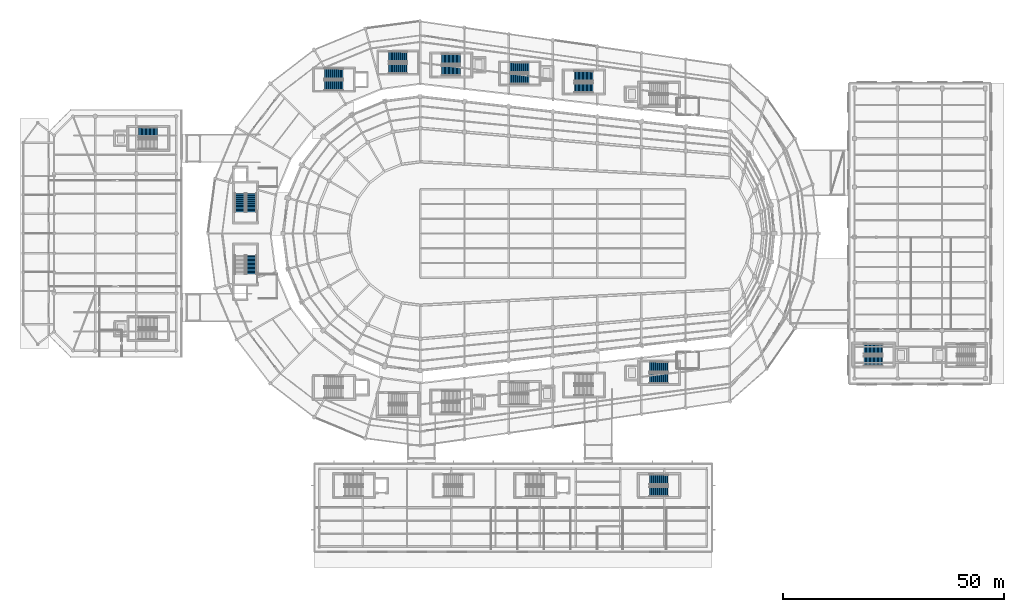
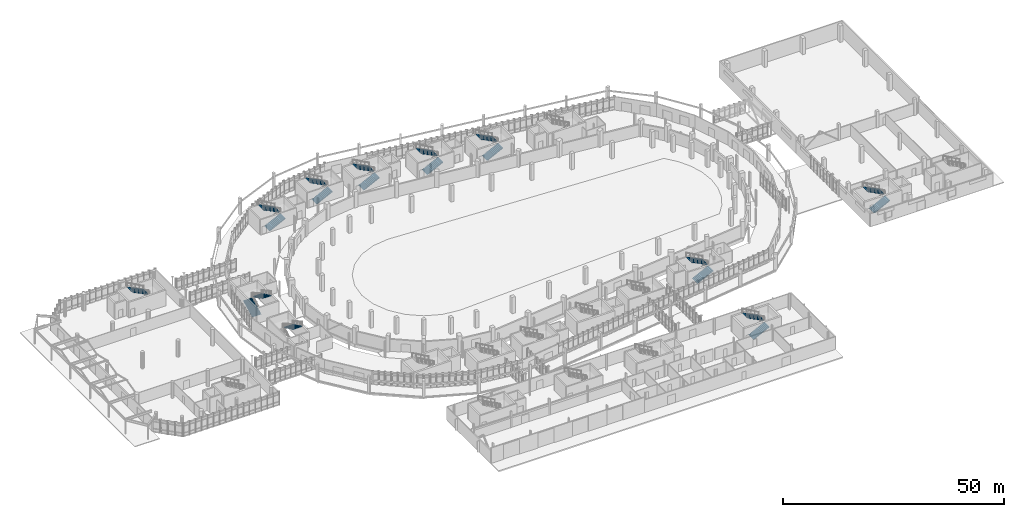
# One storey, part 112 of 122: 20 stair flights, 11 elements without a shape of their own.
"""IFC4 building model written with IfcOpenShell, lengths in metres."""

from ifc_helpers import new_model, si_unit, direction, frame, origin, place, context, subcontext, project, spatial, polyline, outline, extrude, material, type_object, element, aggregate, save


model = new_model("IFC4")

# Units and contexts
model_context = context("Model", 3, precision=1e-05, world=origin(), true_north=direction((0.0, 1.0)))
body_context = subcontext(model_context, "Body", "Model", "MODEL_VIEW")
ifc_project = project(units=[si_unit("LENGTHUNIT", "METRE"), si_unit("AREAUNIT", "SQUARE_METRE"), si_unit("VOLUMEUNIT", "CUBIC_METRE"), si_unit("PLANEANGLEUNIT", "RADIAN"), si_unit("MASSUNIT", "GRAM", prefix="KILO")], contexts=[model_context])

# Site, building, storey
site_placement = place(None, origin())
site = spatial("IfcSite", under=ifc_project, at=site_placement, CompositionType="ELEMENT")
building_placement = place(site_placement, origin())
building = spatial("IfcBuilding", under=site, at=building_placement, Name="Sohan Crest Arena", CompositionType="ELEMENT")
storey_placement = place(building_placement, origin())
storey = spatial("IfcBuildingStorey", under=building, at=storey_placement, Name="L00", CompositionType="ELEMENT", Elevation=0.0)

# Stair, stair flights
ifc_material = material(Name="Concrete C40/50", Category="concrete")
stair_type_1 = type_object("IfcStairType", Name="ST-450W", PredefinedType="TWO_STRAIGHT_RUN_STAIR", material=ifc_material)
stair_1_placement = place(storey_placement, origin())
stair_1 = element("IfcStair", 1, at=stair_1_placement, inside=storey, type_object=stair_type_1, Name="Protected exit stair ST11-L00", PredefinedType="TWO_STRAIGHT_RUN_STAIR")
stair_flight_type_1 = type_object("IfcStairFlightType", Name="FL-220-15", PredefinedType="STRAIGHT", material=ifc_material)
stair_flight_1_placement = place(storey_placement, frame((149.85009765625, 19.64990234375, 0.0), z_axis=(0.0, 0.0, 1.0), x_axis=(1.0, 0.0, 0.0)))
stair_flight_1 = element("IfcStairFlight", 2, at=stair_flight_1_placement, type_object=stair_flight_type_1, Name="ST11-L00 flight 1", NumberOfRisers=15, NumberOfTreads=14, PredefinedType="STRAIGHT", RiserHeight=0.15, TreadLength=0.3, context=body_context, shape_type="SweptSolid", body=[
    extrude(outline(polyline([(0.0, 0.0), (0.0, 0.14990234375), (0.300048828125, 0.14990234375), (0.300048828125, 0.300048828125), (0.60009765625, 0.300048828125), (0.60009765625, 0.449951171875), (0.89990234375, 0.449951171875), (0.89990234375, 0.60009765625), (1.199951171875, 0.60009765625), (1.199951171875, 0.75), (1.5, 0.75), (1.5, 0.89990234375), (1.800048828125, 0.89990234375), (1.800048828125, 1.050048828125), (2.10009765625, 1.050048828125), (2.10009765625, 1.199951171875), (2.39990234375, 1.199951171875), (2.39990234375, 1.35009765625), (2.699951171875, 1.35009765625), (2.699951171875, 1.5), (3.0, 1.5), (3.0, 1.64990234375), (3.300048828125, 1.64990234375), (3.300048828125, 1.800048828125), (3.60009765625, 1.800048828125), (3.60009765625, 1.949951171875), (3.89990234375, 1.949951171875), (3.89990234375, 2.10009765625), (4.199951171875, 2.10009765625), (4.199951171875, 2.25), (4.199951171875, 1.932373046875), (0.335205078125, 0.0), (0.0, 0.0)])), frame((0.0, 1.10009765625, 0.0), z_axis=(0.0, -1.0, 0.0), x_axis=(1.0, 0.0, 0.0)), (0.0, 0.0, 1.0), 2.199951171875),
])
stair_flight_2_placement = place(storey_placement, frame((154.050048828125, 22.35009765625, 2.25), z_axis=(0.0, 0.0, 1.0), x_axis=(-1.0, 0.0, 0.0)))
stair_flight_2 = element("IfcStairFlight", 3, at=stair_flight_2_placement, type_object=stair_flight_type_1, Name="ST11-L00 flight 2", NumberOfRisers=15, NumberOfTreads=14, PredefinedType="STRAIGHT", RiserHeight=0.15, TreadLength=0.3, context=body_context, shape_type="SweptSolid", body=[
    extrude(outline(polyline([(0.0, 0.0), (0.0, 0.14990234375), (0.300048828125, 0.14990234375), (0.300048828125, 0.300048828125), (0.60009765625, 0.300048828125), (0.60009765625, 0.449951171875), (0.89990234375, 0.449951171875), (0.89990234375, 0.60009765625), (1.199951171875, 0.60009765625), (1.199951171875, 0.75), (1.5, 0.75), (1.5, 0.89990234375), (1.800048828125, 0.89990234375), (1.800048828125, 1.050048828125), (2.10009765625, 1.050048828125), (2.10009765625, 1.199951171875), (2.39990234375, 1.199951171875), (2.39990234375, 1.35009765625), (2.699951171875, 1.35009765625), (2.699951171875, 1.5), (3.0, 1.5), (3.0, 1.64990234375), (3.300048828125, 1.64990234375), (3.300048828125, 1.800048828125), (3.60009765625, 1.800048828125), (3.60009765625, 1.949951171875), (3.89990234375, 1.949951171875), (3.89990234375, 2.10009765625), (4.199951171875, 2.10009765625), (4.199951171875, 2.25), (4.199951171875, 1.932373046875), (0.335205078125, 0.0), (0.0, 0.0)])), frame((0.0, 1.10009765625, 0.0), z_axis=(0.0, -1.0, 0.0), x_axis=(1.0, 0.0, 0.0)), (0.0, 0.0, 1.0), 2.199951171875),
])
aggregate(stair_1, [stair_flight_1, stair_flight_2])

# Stair, stair flight
stair_2_placement = place(storey_placement, origin())
stair_2 = element("IfcStair", 4, at=stair_2_placement, inside=storey, type_object=stair_type_1, Name="Protected exit stair ST14-L00", PredefinedType="TWO_STRAIGHT_RUN_STAIR")
stair_flight_3_placement = place(storey_placement, frame((38.550048828125, 100.85009765625, 2.25), z_axis=(0.0, 0.0, 1.0), x_axis=(-1.0, 0.0, 0.0)))
stair_flight_3 = element("IfcStairFlight", 5, at=stair_flight_3_placement, type_object=stair_flight_type_1, Name="ST14-L00 flight 2", NumberOfRisers=15, NumberOfTreads=14, PredefinedType="STRAIGHT", RiserHeight=0.15, TreadLength=0.3, context=body_context, shape_type="SweptSolid", body=[
    extrude(outline(polyline([(0.0, 0.0), (0.0, 0.14990234375), (0.300048828125, 0.14990234375), (0.300048828125, 0.300048828125), (0.60009765625, 0.300048828125), (0.60009765625, 0.449951171875), (0.89990234375, 0.449951171875), (0.89990234375, 0.60009765625), (1.199951171875, 0.60009765625), (1.199951171875, 0.75), (1.5, 0.75), (1.5, 0.89990234375), (1.800048828125, 0.89990234375), (1.800048828125, 1.050048828125), (2.10009765625, 1.050048828125), (2.10009765625, 1.199951171875), (2.39990234375, 1.199951171875), (2.39990234375, 1.35009765625), (2.699951171875, 1.35009765625), (2.699951171875, 1.5), (3.0, 1.5), (3.0, 1.64990234375), (3.300048828125, 1.64990234375), (3.300048828125, 1.800048828125), (3.60009765625, 1.800048828125), (3.60009765625, 1.949951171875), (3.89990234375, 1.949951171875), (3.89990234375, 2.10009765625), (4.199951171875, 2.10009765625), (4.199951171875, 2.25), (4.199951171875, 1.932373046875), (0.335205078125, 0.0), (0.0, 0.0)])), frame((0.0, 1.10009765625, 0.0), z_axis=(0.0, -1.0, 0.0), x_axis=(1.0, 0.0, 0.0)), (0.0, 0.0, 1.0), 2.199951171875),
])
aggregate(stair_2, [stair_flight_3])

# Stair, stair flights
stair_3_placement = place(storey_placement, origin())
stair_3 = element("IfcStair", 6, at=stair_3_placement, inside=storey, type_object=stair_type_1, Name="Protected exit stair ST15-L00", PredefinedType="TWO_STRAIGHT_RUN_STAIR")
stair_flight_4_placement = place(storey_placement, frame((198.35009765625, 49.14990234375, 0.0), z_axis=(0.0, 0.0, 1.0), x_axis=(1.0, 0.0, 0.0)))
stair_flight_4 = element("IfcStairFlight", 7, at=stair_flight_4_placement, type_object=stair_flight_type_1, Name="ST15-L00 flight 1", NumberOfRisers=15, NumberOfTreads=14, PredefinedType="STRAIGHT", RiserHeight=0.15, TreadLength=0.3, context=body_context, shape_type="SweptSolid", body=[
    extrude(outline(polyline([(0.0, 0.0), (0.0, 0.14990234375), (0.300048828125, 0.14990234375), (0.300048828125, 0.300048828125), (0.60009765625, 0.300048828125), (0.60009765625, 0.449951171875), (0.89990234375, 0.449951171875), (0.89990234375, 0.60009765625), (1.199951171875, 0.60009765625), (1.199951171875, 0.75), (1.5, 0.75), (1.5, 0.89990234375), (1.800048828125, 0.89990234375), (1.800048828125, 1.050048828125), (2.10009765625, 1.050048828125), (2.10009765625, 1.199951171875), (2.39990234375, 1.199951171875), (2.39990234375, 1.35009765625), (2.699951171875, 1.35009765625), (2.699951171875, 1.5), (3.0, 1.5), (3.0, 1.64990234375), (3.300048828125, 1.64990234375), (3.300048828125, 1.800048828125), (3.60009765625, 1.800048828125), (3.60009765625, 1.949951171875), (3.89990234375, 1.949951171875), (3.89990234375, 2.10009765625), (4.199951171875, 2.10009765625), (4.199951171875, 2.25), (4.199951171875, 1.932373046875), (0.335205078125, 0.0), (0.0, 0.0)])), frame((0.0, 1.10009765625, 0.0), z_axis=(0.0, -1.0, 0.0), x_axis=(1.0, 0.0, 0.0)), (0.0, 0.0, 1.0), 2.199951171875),
])
stair_flight_5_placement = place(storey_placement, frame((202.550048828125, 51.85009765625, 2.25), z_axis=(0.0, 0.0, 1.0), x_axis=(-1.0, 0.0, 0.0)))
stair_flight_5 = element("IfcStairFlight", 8, at=stair_flight_5_placement, type_object=stair_flight_type_1, Name="ST15-L00 flight 2", NumberOfRisers=15, NumberOfTreads=14, PredefinedType="STRAIGHT", RiserHeight=0.15, TreadLength=0.3, context=body_context, shape_type="SweptSolid", body=[
    extrude(outline(polyline([(0.0, 0.0), (0.0, 0.14990234375), (0.300048828125, 0.14990234375), (0.300048828125, 0.300048828125), (0.60009765625, 0.300048828125), (0.60009765625, 0.449951171875), (0.89990234375, 0.449951171875), (0.89990234375, 0.60009765625), (1.199951171875, 0.60009765625), (1.199951171875, 0.75), (1.5, 0.75), (1.5, 0.89990234375), (1.800048828125, 0.89990234375), (1.800048828125, 1.050048828125), (2.10009765625, 1.050048828125), (2.10009765625, 1.199951171875), (2.39990234375, 1.199951171875), (2.39990234375, 1.35009765625), (2.699951171875, 1.35009765625), (2.699951171875, 1.5), (3.0, 1.5), (3.0, 1.64990234375), (3.300048828125, 1.64990234375), (3.300048828125, 1.800048828125), (3.60009765625, 1.800048828125), (3.60009765625, 1.949951171875), (3.89990234375, 1.949951171875), (3.89990234375, 2.10009765625), (4.199951171875, 2.10009765625), (4.199951171875, 2.25), (4.199951171875, 1.932373046875), (0.335205078125, 0.0), (0.0, 0.0)])), frame((0.0, 1.10009765625, 0.0), z_axis=(0.0, -1.0, 0.0), x_axis=(1.0, 0.0, 0.0)), (0.0, 0.0, 1.0), 2.199951171875),
])
aggregate(stair_3, [stair_flight_4, stair_flight_5])

stair_4_placement = place(storey_placement, origin())
stair_4 = element("IfcStair", 9, at=stair_4_placement, inside=storey, type_object=stair_type_1, Name="Protected exit stair ST20-L00", PredefinedType="TWO_STRAIGHT_RUN_STAIR")
stair_flight_6_placement = place(storey_placement, frame((90.85009765625, 115.2900390625, 0.0), z_axis=(0.0, 0.0, 1.0), x_axis=(1.0, 0.0, 0.0)))
stair_flight_6 = element("IfcStairFlight", 10, at=stair_flight_6_placement, type_object=stair_flight_type_1, Name="ST20-L00 flight 1", NumberOfRisers=15, NumberOfTreads=14, PredefinedType="STRAIGHT", RiserHeight=0.15, TreadLength=0.3, context=body_context, shape_type="SweptSolid", body=[
    extrude(outline(polyline([(0.0, 0.0), (0.0, 0.14990234375), (0.300048828125, 0.14990234375), (0.300048828125, 0.300048828125), (0.60009765625, 0.300048828125), (0.60009765625, 0.449951171875), (0.89990234375, 0.449951171875), (0.89990234375, 0.60009765625), (1.199951171875, 0.60009765625), (1.199951171875, 0.75), (1.5, 0.75), (1.5, 0.89990234375), (1.800048828125, 0.89990234375), (1.800048828125, 1.050048828125), (2.10009765625, 1.050048828125), (2.10009765625, 1.199951171875), (2.39990234375, 1.199951171875), (2.39990234375, 1.35009765625), (2.699951171875, 1.35009765625), (2.699951171875, 1.5), (3.0, 1.5), (3.0, 1.64990234375), (3.300048828125, 1.64990234375), (3.300048828125, 1.800048828125), (3.60009765625, 1.800048828125), (3.60009765625, 1.949951171875), (3.89990234375, 1.949951171875), (3.89990234375, 2.10009765625), (4.199951171875, 2.10009765625), (4.199951171875, 2.25), (4.199951171875, 1.932373046875), (0.335205078125, 0.0), (0.0, 0.0)])), frame((0.0, 1.10009765625, 0.0), z_axis=(0.0, -1.0, 0.0), x_axis=(1.0, 0.0, 0.0)), (0.0, 0.0, 1.0), 2.199951171875),
])
stair_flight_7_placement = place(storey_placement, frame((95.050048828125, 117.989990234375, 2.25), z_axis=(0.0, 0.0, 1.0), x_axis=(-1.0, 0.0, 0.0)))
stair_flight_7 = element("IfcStairFlight", 11, at=stair_flight_7_placement, type_object=stair_flight_type_1, Name="ST20-L00 flight 2", NumberOfRisers=15, NumberOfTreads=14, PredefinedType="STRAIGHT", RiserHeight=0.15, TreadLength=0.3, context=body_context, shape_type="SweptSolid", body=[
    extrude(outline(polyline([(0.0, 0.0), (0.0, 0.14990234375), (0.300048828125, 0.14990234375), (0.300048828125, 0.300048828125), (0.60009765625, 0.300048828125), (0.60009765625, 0.449951171875), (0.89990234375, 0.449951171875), (0.89990234375, 0.60009765625), (1.199951171875, 0.60009765625), (1.199951171875, 0.75), (1.5, 0.75), (1.5, 0.89990234375), (1.800048828125, 0.89990234375), (1.800048828125, 1.050048828125), (2.10009765625, 1.050048828125), (2.10009765625, 1.199951171875), (2.39990234375, 1.199951171875), (2.39990234375, 1.35009765625), (2.699951171875, 1.35009765625), (2.699951171875, 1.5), (3.0, 1.5), (3.0, 1.64990234375), (3.300048828125, 1.64990234375), (3.300048828125, 1.800048828125), (3.60009765625, 1.800048828125), (3.60009765625, 1.949951171875), (3.89990234375, 1.949951171875), (3.89990234375, 2.10009765625), (4.199951171875, 2.10009765625), (4.199951171875, 2.25), (4.199951171875, 1.932373046875), (0.335205078125, 0.0), (0.0, 0.0)])), frame((0.0, 1.10009765625, 0.0), z_axis=(0.0, -1.0, 0.0), x_axis=(1.0, 0.0, 0.0)), (0.0, 0.0, 1.0), 2.199951171875),
])
aggregate(stair_4, [stair_flight_6, stair_flight_7])

stair_5_placement = place(storey_placement, origin())
stair_5 = element("IfcStair", 12, at=stair_5_placement, inside=storey, type_object=stair_type_1, Name="Protected exit stair ST22-L00", PredefinedType="TWO_STRAIGHT_RUN_STAIR")
stair_flight_8_placement = place(storey_placement, frame((132.85009765625, 110.89990234375, 0.0), z_axis=(0.0, 0.0, 1.0), x_axis=(1.0, 0.0, 0.0)))
stair_flight_8 = element("IfcStairFlight", 13, at=stair_flight_8_placement, type_object=stair_flight_type_1, Name="ST22-L00 flight 1", NumberOfRisers=15, NumberOfTreads=14, PredefinedType="STRAIGHT", RiserHeight=0.15, TreadLength=0.3, context=body_context, shape_type="SweptSolid", body=[
    extrude(outline(polyline([(0.0, 0.0), (0.0, 0.14990234375), (0.300048828125, 0.14990234375), (0.300048828125, 0.300048828125), (0.60009765625, 0.300048828125), (0.60009765625, 0.449951171875), (0.89990234375, 0.449951171875), (0.89990234375, 0.60009765625), (1.199951171875, 0.60009765625), (1.199951171875, 0.75), (1.5, 0.75), (1.5, 0.89990234375), (1.800048828125, 0.89990234375), (1.800048828125, 1.050048828125), (2.10009765625, 1.050048828125), (2.10009765625, 1.199951171875), (2.39990234375, 1.199951171875), (2.39990234375, 1.35009765625), (2.699951171875, 1.35009765625), (2.699951171875, 1.5), (3.0, 1.5), (3.0, 1.64990234375), (3.300048828125, 1.64990234375), (3.300048828125, 1.800048828125), (3.60009765625, 1.800048828125), (3.60009765625, 1.949951171875), (3.89990234375, 1.949951171875), (3.89990234375, 2.10009765625), (4.199951171875, 2.10009765625), (4.199951171875, 2.25), (4.199951171875, 1.932373046875), (0.335205078125, 0.0), (0.0, 0.0)])), frame((0.0, 1.10009765625, 0.0), z_axis=(0.0, -1.0, 0.0), x_axis=(1.0, 0.0, 0.0)), (0.0, 0.0, 1.0), 2.199951171875),
])
stair_flight_9_placement = place(storey_placement, frame((137.050048828125, 113.60009765625, 2.25), z_axis=(0.0, 0.0, 1.0), x_axis=(-1.0, 0.0, 0.0)))
stair_flight_9 = element("IfcStairFlight", 14, at=stair_flight_9_placement, type_object=stair_flight_type_1, Name="ST22-L00 flight 2", NumberOfRisers=15, NumberOfTreads=14, PredefinedType="STRAIGHT", RiserHeight=0.15, TreadLength=0.3, context=body_context, shape_type="SweptSolid", body=[
    extrude(outline(polyline([(0.0, 0.0), (0.0, 0.14990234375), (0.300048828125, 0.14990234375), (0.300048828125, 0.300048828125), (0.60009765625, 0.300048828125), (0.60009765625, 0.449951171875), (0.89990234375, 0.449951171875), (0.89990234375, 0.60009765625), (1.199951171875, 0.60009765625), (1.199951171875, 0.75), (1.5, 0.75), (1.5, 0.89990234375), (1.800048828125, 0.89990234375), (1.800048828125, 1.050048828125), (2.10009765625, 1.050048828125), (2.10009765625, 1.199951171875), (2.39990234375, 1.199951171875), (2.39990234375, 1.35009765625), (2.699951171875, 1.35009765625), (2.699951171875, 1.5), (3.0, 1.5), (3.0, 1.64990234375), (3.300048828125, 1.64990234375), (3.300048828125, 1.800048828125), (3.60009765625, 1.800048828125), (3.60009765625, 1.949951171875), (3.89990234375, 1.949951171875), (3.89990234375, 2.10009765625), (4.199951171875, 2.10009765625), (4.199951171875, 2.25), (4.199951171875, 1.932373046875), (0.335205078125, 0.0), (0.0, 0.0)])), frame((0.0, 1.10009765625, 0.0), z_axis=(0.0, -1.0, 0.0), x_axis=(1.0, 0.0, 0.0)), (0.0, 0.0, 1.0), 2.199951171875),
])
aggregate(stair_5, [stair_flight_8, stair_flight_9])

# Stair, stair flight
stair_type_2 = type_object("IfcStairType", Name="ST-450", PredefinedType="TWO_STRAIGHT_RUN_STAIR", material=ifc_material)
stair_6_placement = place(storey_placement, origin())
stair_6 = element("IfcStair", 15, at=stair_6_placement, inside=storey, type_object=stair_type_2, Name="Protected exit stair ST01-L00", PredefinedType="TWO_STRAIGHT_RUN_STAIR")
stair_flight_type_2 = type_object("IfcStairFlightType", Name="FL-260-15", PredefinedType="STRAIGHT", material=ifc_material)
stair_flight_10_placement = place(storey_placement, frame((59.800048828125, 73.050048828125, 2.25), z_axis=(0.0, 0.0, 1.0), x_axis=(0.0, -1.0, 0.0)))
stair_flight_10 = element("IfcStairFlight", 16, at=stair_flight_10_placement, type_object=stair_flight_type_2, Name="ST01-L00 flight 2", NumberOfRisers=15, NumberOfTreads=14, PredefinedType="STRAIGHT", RiserHeight=0.15, TreadLength=0.3, context=body_context, shape_type="SweptSolid", body=[
    extrude(outline(polyline([(0.0, 0.0), (0.0, 0.14990234375), (0.300048828125, 0.14990234375), (0.300048828125, 0.300048828125), (0.60009765625, 0.300048828125), (0.60009765625, 0.449951171875), (0.89990234375, 0.449951171875), (0.89990234375, 0.60009765625), (1.199951171875, 0.60009765625), (1.199951171875, 0.75), (1.5, 0.75), (1.5, 0.89990234375), (1.800048828125, 0.89990234375), (1.800048828125, 1.050048828125), (2.10009765625, 1.050048828125), (2.10009765625, 1.199951171875), (2.39990234375, 1.199951171875), (2.39990234375, 1.35009765625), (2.699951171875, 1.35009765625), (2.699951171875, 1.5), (3.0, 1.5), (3.0, 1.64990234375), (3.300048828125, 1.64990234375), (3.300048828125, 1.800048828125), (3.60009765625, 1.800048828125), (3.60009765625, 1.949951171875), (3.89990234375, 1.949951171875), (3.89990234375, 2.10009765625), (4.199951171875, 2.10009765625), (4.199951171875, 2.25), (4.199951171875, 1.932373046875), (0.335205078125, 0.0), (0.0, 0.0)])), frame((0.0, 1.14990234375, 0.0), z_axis=(0.0, -1.0, 0.0), x_axis=(1.0, 0.0, 0.0)), (0.0, 0.0, 1.0), 2.300048828125),
])
aggregate(stair_6, [stair_flight_10])

# Stair, stair flights
stair_7_placement = place(storey_placement, origin())
stair_7 = element("IfcStair", 17, at=stair_7_placement, inside=storey, type_object=stair_type_2, Name="Protected exit stair ST02-L00", PredefinedType="TWO_STRAIGHT_RUN_STAIR")
stair_flight_11_placement = place(storey_placement, frame((57.199951171875, 82.85009765625, 0.0), z_axis=(0.0, 0.0, 1.0), x_axis=(0.0, 1.0, 0.0)))
stair_flight_11 = element("IfcStairFlight", 18, at=stair_flight_11_placement, type_object=stair_flight_type_2, Name="ST02-L00 flight 1", NumberOfRisers=15, NumberOfTreads=14, PredefinedType="STRAIGHT", RiserHeight=0.15, TreadLength=0.3, context=body_context, shape_type="SweptSolid", body=[
    extrude(outline(polyline([(0.0, 0.0), (0.0, 0.14990234375), (0.300048828125, 0.14990234375), (0.300048828125, 0.300048828125), (0.60009765625, 0.300048828125), (0.60009765625, 0.449951171875), (0.89990234375, 0.449951171875), (0.89990234375, 0.60009765625), (1.199951171875, 0.60009765625), (1.199951171875, 0.75), (1.5, 0.75), (1.5, 0.89990234375), (1.800048828125, 0.89990234375), (1.800048828125, 1.050048828125), (2.10009765625, 1.050048828125), (2.10009765625, 1.199951171875), (2.39990234375, 1.199951171875), (2.39990234375, 1.35009765625), (2.699951171875, 1.35009765625), (2.699951171875, 1.5), (3.0, 1.5), (3.0, 1.64990234375), (3.300048828125, 1.64990234375), (3.300048828125, 1.800048828125), (3.60009765625, 1.800048828125), (3.60009765625, 1.949951171875), (3.89990234375, 1.949951171875), (3.89990234375, 2.10009765625), (4.199951171875, 2.10009765625), (4.199951171875, 2.25), (4.199951171875, 1.932373046875), (0.335205078125, 0.0), (0.0, 0.0)])), frame((0.0, 1.14990234375, 0.0), z_axis=(0.0, -1.0, 0.0), x_axis=(1.0, 0.0, 0.0)), (0.0, 0.0, 1.0), 2.300048828125),
])
stair_flight_12_placement = place(storey_placement, frame((59.800048828125, 87.050048828125, 2.25), z_axis=(0.0, 0.0, 1.0), x_axis=(0.0, -1.0, 0.0)))
stair_flight_12 = element("IfcStairFlight", 19, at=stair_flight_12_placement, type_object=stair_flight_type_2, Name="ST02-L00 flight 2", NumberOfRisers=15, NumberOfTreads=14, PredefinedType="STRAIGHT", RiserHeight=0.15, TreadLength=0.3, context=body_context, shape_type="SweptSolid", body=[
    extrude(outline(polyline([(0.0, 0.0), (0.0, 0.14990234375), (0.300048828125, 0.14990234375), (0.300048828125, 0.300048828125), (0.60009765625, 0.300048828125), (0.60009765625, 0.449951171875), (0.89990234375, 0.449951171875), (0.89990234375, 0.60009765625), (1.199951171875, 0.60009765625), (1.199951171875, 0.75), (1.5, 0.75), (1.5, 0.89990234375), (1.800048828125, 0.89990234375), (1.800048828125, 1.050048828125), (2.10009765625, 1.050048828125), (2.10009765625, 1.199951171875), (2.39990234375, 1.199951171875), (2.39990234375, 1.35009765625), (2.699951171875, 1.35009765625), (2.699951171875, 1.5), (3.0, 1.5), (3.0, 1.64990234375), (3.300048828125, 1.64990234375), (3.300048828125, 1.800048828125), (3.60009765625, 1.800048828125), (3.60009765625, 1.949951171875), (3.89990234375, 1.949951171875), (3.89990234375, 2.10009765625), (4.199951171875, 2.10009765625), (4.199951171875, 2.25), (4.199951171875, 1.932373046875), (0.335205078125, 0.0), (0.0, 0.0)])), frame((0.0, 1.14990234375, 0.0), z_axis=(0.0, -1.0, 0.0), x_axis=(1.0, 0.0, 0.0)), (0.0, 0.0, 1.0), 2.300048828125),
])
aggregate(stair_7, [stair_flight_11, stair_flight_12])

stair_8_placement = place(storey_placement, origin())
stair_8 = element("IfcStair", 20, at=stair_8_placement, inside=storey, type_object=stair_type_2, Name="Protected exit stair ST04-L00", PredefinedType="TWO_STRAIGHT_RUN_STAIR")
stair_flight_13_placement = place(storey_placement, frame((76.35009765625, 111.5, 0.0), z_axis=(0.0, 0.0, 1.0), x_axis=(1.0, 0.0, 0.0)))
stair_flight_13 = element("IfcStairFlight", 21, at=stair_flight_13_placement, type_object=stair_flight_type_2, Name="ST04-L00 flight 1", NumberOfRisers=15, NumberOfTreads=14, PredefinedType="STRAIGHT", RiserHeight=0.15, TreadLength=0.3, context=body_context, shape_type="SweptSolid", body=[
    extrude(outline(polyline([(0.0, 0.0), (0.0, 0.14990234375), (0.300048828125, 0.14990234375), (0.300048828125, 0.300048828125), (0.60009765625, 0.300048828125), (0.60009765625, 0.449951171875), (0.89990234375, 0.449951171875), (0.89990234375, 0.60009765625), (1.199951171875, 0.60009765625), (1.199951171875, 0.75), (1.5, 0.75), (1.5, 0.89990234375), (1.800048828125, 0.89990234375), (1.800048828125, 1.050048828125), (2.10009765625, 1.050048828125), (2.10009765625, 1.199951171875), (2.39990234375, 1.199951171875), (2.39990234375, 1.35009765625), (2.699951171875, 1.35009765625), (2.699951171875, 1.5), (3.0, 1.5), (3.0, 1.64990234375), (3.300048828125, 1.64990234375), (3.300048828125, 1.800048828125), (3.60009765625, 1.800048828125), (3.60009765625, 1.949951171875), (3.89990234375, 1.949951171875), (3.89990234375, 2.10009765625), (4.199951171875, 2.10009765625), (4.199951171875, 2.25), (4.199951171875, 1.932373046875), (0.335205078125, 0.0), (0.0, 0.0)])), frame((0.0, 1.14990234375, 0.0), z_axis=(0.0, -1.0, 0.0), x_axis=(1.0, 0.0, 0.0)), (0.0, 0.0, 1.0), 2.300048828125),
])
stair_flight_14_placement = place(storey_placement, frame((80.550048828125, 114.10009765625, 2.25), z_axis=(0.0, 0.0, 1.0), x_axis=(-1.0, 0.0, 0.0)))
stair_flight_14 = element("IfcStairFlight", 22, at=stair_flight_14_placement, type_object=stair_flight_type_2, Name="ST04-L00 flight 2", NumberOfRisers=15, NumberOfTreads=14, PredefinedType="STRAIGHT", RiserHeight=0.15, TreadLength=0.3, context=body_context, shape_type="SweptSolid", body=[
    extrude(outline(polyline([(0.0, 0.0), (0.0, 0.14990234375), (0.300048828125, 0.14990234375), (0.300048828125, 0.300048828125), (0.60009765625, 0.300048828125), (0.60009765625, 0.449951171875), (0.89990234375, 0.449951171875), (0.89990234375, 0.60009765625), (1.199951171875, 0.60009765625), (1.199951171875, 0.75), (1.5, 0.75), (1.5, 0.89990234375), (1.800048828125, 0.89990234375), (1.800048828125, 1.050048828125), (2.10009765625, 1.050048828125), (2.10009765625, 1.199951171875), (2.39990234375, 1.199951171875), (2.39990234375, 1.35009765625), (2.699951171875, 1.35009765625), (2.699951171875, 1.5), (3.0, 1.5), (3.0, 1.64990234375), (3.300048828125, 1.64990234375), (3.300048828125, 1.800048828125), (3.60009765625, 1.800048828125), (3.60009765625, 1.949951171875), (3.89990234375, 1.949951171875), (3.89990234375, 2.10009765625), (4.199951171875, 2.10009765625), (4.199951171875, 2.25), (4.199951171875, 1.932373046875), (0.335205078125, 0.0), (0.0, 0.0)])), frame((0.0, 1.14990234375, 0.0), z_axis=(0.0, -1.0, 0.0), x_axis=(1.0, 0.0, 0.0)), (0.0, 0.0, 1.0), 2.300048828125),
])
aggregate(stair_8, [stair_flight_13, stair_flight_14])

stair_9_placement = place(storey_placement, origin())
stair_9 = element("IfcStair", 23, at=stair_9_placement, inside=storey, type_object=stair_type_2, Name="Protected exit stair ST06-L00", PredefinedType="TWO_STRAIGHT_RUN_STAIR")
stair_flight_15_placement = place(storey_placement, frame((102.85009765625, 114.800048828125, 0.0), z_axis=(0.0, 0.0, 1.0), x_axis=(1.0, 0.0, 0.0)))
stair_flight_15 = element("IfcStairFlight", 24, at=stair_flight_15_placement, type_object=stair_flight_type_2, Name="ST06-L00 flight 1", NumberOfRisers=15, NumberOfTreads=14, PredefinedType="STRAIGHT", RiserHeight=0.15, TreadLength=0.3, context=body_context, shape_type="SweptSolid", body=[
    extrude(outline(polyline([(0.0, 0.0), (0.0, 0.14990234375), (0.300048828125, 0.14990234375), (0.300048828125, 0.300048828125), (0.60009765625, 0.300048828125), (0.60009765625, 0.449951171875), (0.89990234375, 0.449951171875), (0.89990234375, 0.60009765625), (1.199951171875, 0.60009765625), (1.199951171875, 0.75), (1.5, 0.75), (1.5, 0.89990234375), (1.800048828125, 0.89990234375), (1.800048828125, 1.050048828125), (2.10009765625, 1.050048828125), (2.10009765625, 1.199951171875), (2.39990234375, 1.199951171875), (2.39990234375, 1.35009765625), (2.699951171875, 1.35009765625), (2.699951171875, 1.5), (3.0, 1.5), (3.0, 1.64990234375), (3.300048828125, 1.64990234375), (3.300048828125, 1.800048828125), (3.60009765625, 1.800048828125), (3.60009765625, 1.949951171875), (3.89990234375, 1.949951171875), (3.89990234375, 2.10009765625), (4.199951171875, 2.10009765625), (4.199951171875, 2.25), (4.199951171875, 1.932373046875), (0.335205078125, 0.0), (0.0, 0.0)])), frame((0.0, 1.14990234375, 0.0), z_axis=(0.0, -1.0, 0.0), x_axis=(1.0, 0.0, 0.0)), (0.0, 0.0, 1.0), 2.300048828125),
])
stair_flight_16_placement = place(storey_placement, frame((107.050048828125, 117.39990234375, 2.25), z_axis=(0.0, 0.0, 1.0), x_axis=(-1.0, 0.0, 0.0)))
stair_flight_16 = element("IfcStairFlight", 25, at=stair_flight_16_placement, type_object=stair_flight_type_2, Name="ST06-L00 flight 2", NumberOfRisers=15, NumberOfTreads=14, PredefinedType="STRAIGHT", RiserHeight=0.15, TreadLength=0.3, context=body_context, shape_type="SweptSolid", body=[
    extrude(outline(polyline([(0.0, 0.0), (0.0, 0.14990234375), (0.300048828125, 0.14990234375), (0.300048828125, 0.300048828125), (0.60009765625, 0.300048828125), (0.60009765625, 0.449951171875), (0.89990234375, 0.449951171875), (0.89990234375, 0.60009765625), (1.199951171875, 0.60009765625), (1.199951171875, 0.75), (1.5, 0.75), (1.5, 0.89990234375), (1.800048828125, 0.89990234375), (1.800048828125, 1.050048828125), (2.10009765625, 1.050048828125), (2.10009765625, 1.199951171875), (2.39990234375, 1.199951171875), (2.39990234375, 1.35009765625), (2.699951171875, 1.35009765625), (2.699951171875, 1.5), (3.0, 1.5), (3.0, 1.64990234375), (3.300048828125, 1.64990234375), (3.300048828125, 1.800048828125), (3.60009765625, 1.800048828125), (3.60009765625, 1.949951171875), (3.89990234375, 1.949951171875), (3.89990234375, 2.10009765625), (4.199951171875, 2.10009765625), (4.199951171875, 2.25), (4.199951171875, 1.932373046875), (0.335205078125, 0.0), (0.0, 0.0)])), frame((0.0, 1.14990234375, 0.0), z_axis=(0.0, -1.0, 0.0), x_axis=(1.0, 0.0, 0.0)), (0.0, 0.0, 1.0), 2.300048828125),
])
aggregate(stair_9, [stair_flight_15, stair_flight_16])

stair_10_placement = place(storey_placement, origin())
stair_10 = element("IfcStair", 26, at=stair_10_placement, inside=storey, type_object=stair_type_2, Name="Protected exit stair ST08-L00", PredefinedType="TWO_STRAIGHT_RUN_STAIR")
stair_flight_17_placement = place(storey_placement, frame((118.35009765625, 112.89990234375, 0.0), z_axis=(0.0, 0.0, 1.0), x_axis=(1.0, 0.0, 0.0)))
stair_flight_17 = element("IfcStairFlight", 27, at=stair_flight_17_placement, type_object=stair_flight_type_2, Name="ST08-L00 flight 1", NumberOfRisers=15, NumberOfTreads=14, PredefinedType="STRAIGHT", RiserHeight=0.15, TreadLength=0.3, context=body_context, shape_type="SweptSolid", body=[
    extrude(outline(polyline([(0.0, 0.0), (0.0, 0.14990234375), (0.300048828125, 0.14990234375), (0.300048828125, 0.300048828125), (0.60009765625, 0.300048828125), (0.60009765625, 0.449951171875), (0.89990234375, 0.449951171875), (0.89990234375, 0.60009765625), (1.199951171875, 0.60009765625), (1.199951171875, 0.75), (1.5, 0.75), (1.5, 0.89990234375), (1.800048828125, 0.89990234375), (1.800048828125, 1.050048828125), (2.10009765625, 1.050048828125), (2.10009765625, 1.199951171875), (2.39990234375, 1.199951171875), (2.39990234375, 1.35009765625), (2.699951171875, 1.35009765625), (2.699951171875, 1.5), (3.0, 1.5), (3.0, 1.64990234375), (3.300048828125, 1.64990234375), (3.300048828125, 1.800048828125), (3.60009765625, 1.800048828125), (3.60009765625, 1.949951171875), (3.89990234375, 1.949951171875), (3.89990234375, 2.10009765625), (4.199951171875, 2.10009765625), (4.199951171875, 2.25), (4.199951171875, 1.932373046875), (0.335205078125, 0.0), (0.0, 0.0)])), frame((0.0, 1.14990234375, 0.0), z_axis=(0.0, -1.0, 0.0), x_axis=(1.0, 0.0, 0.0)), (0.0, 0.0, 1.0), 2.300048828125),
])
stair_flight_18_placement = place(storey_placement, frame((122.550048828125, 115.5, 2.25), z_axis=(0.0, 0.0, 1.0), x_axis=(-1.0, 0.0, 0.0)))
stair_flight_18 = element("IfcStairFlight", 28, at=stair_flight_18_placement, type_object=stair_flight_type_2, Name="ST08-L00 flight 2", NumberOfRisers=15, NumberOfTreads=14, PredefinedType="STRAIGHT", RiserHeight=0.15, TreadLength=0.3, context=body_context, shape_type="SweptSolid", body=[
    extrude(outline(polyline([(0.0, 0.0), (0.0, 0.14990234375), (0.300048828125, 0.14990234375), (0.300048828125, 0.300048828125), (0.60009765625, 0.300048828125), (0.60009765625, 0.449951171875), (0.89990234375, 0.449951171875), (0.89990234375, 0.60009765625), (1.199951171875, 0.60009765625), (1.199951171875, 0.75), (1.5, 0.75), (1.5, 0.89990234375), (1.800048828125, 0.89990234375), (1.800048828125, 1.050048828125), (2.10009765625, 1.050048828125), (2.10009765625, 1.199951171875), (2.39990234375, 1.199951171875), (2.39990234375, 1.35009765625), (2.699951171875, 1.35009765625), (2.699951171875, 1.5), (3.0, 1.5), (3.0, 1.64990234375), (3.300048828125, 1.64990234375), (3.300048828125, 1.800048828125), (3.60009765625, 1.800048828125), (3.60009765625, 1.949951171875), (3.89990234375, 1.949951171875), (3.89990234375, 2.10009765625), (4.199951171875, 2.10009765625), (4.199951171875, 2.25), (4.199951171875, 1.932373046875), (0.335205078125, 0.0), (0.0, 0.0)])), frame((0.0, 1.14990234375, 0.0), z_axis=(0.0, -1.0, 0.0), x_axis=(1.0, 0.0, 0.0)), (0.0, 0.0, 1.0), 2.300048828125),
])
aggregate(stair_10, [stair_flight_17, stair_flight_18])

stair_11_placement = place(storey_placement, origin())
stair_11 = element("IfcStair", 29, at=stair_11_placement, inside=storey, type_object=stair_type_2, Name="Protected exit stair ST09-L00", PredefinedType="TWO_STRAIGHT_RUN_STAIR")
stair_flight_19_placement = place(storey_placement, frame((149.85009765625, 45.199951171875, 0.0), z_axis=(0.0, 0.0, 1.0), x_axis=(1.0, 0.0, 0.0)))
stair_flight_19 = element("IfcStairFlight", 30, at=stair_flight_19_placement, type_object=stair_flight_type_2, Name="ST09-L00 flight 1", NumberOfRisers=15, NumberOfTreads=14, PredefinedType="STRAIGHT", RiserHeight=0.15, TreadLength=0.3, context=body_context, shape_type="SweptSolid", body=[
    extrude(outline(polyline([(0.0, 0.0), (0.0, 0.14990234375), (0.300048828125, 0.14990234375), (0.300048828125, 0.300048828125), (0.60009765625, 0.300048828125), (0.60009765625, 0.449951171875), (0.89990234375, 0.449951171875), (0.89990234375, 0.60009765625), (1.199951171875, 0.60009765625), (1.199951171875, 0.75), (1.5, 0.75), (1.5, 0.89990234375), (1.800048828125, 0.89990234375), (1.800048828125, 1.050048828125), (2.10009765625, 1.050048828125), (2.10009765625, 1.199951171875), (2.39990234375, 1.199951171875), (2.39990234375, 1.35009765625), (2.699951171875, 1.35009765625), (2.699951171875, 1.5), (3.0, 1.5), (3.0, 1.64990234375), (3.300048828125, 1.64990234375), (3.300048828125, 1.800048828125), (3.60009765625, 1.800048828125), (3.60009765625, 1.949951171875), (3.89990234375, 1.949951171875), (3.89990234375, 2.10009765625), (4.199951171875, 2.10009765625), (4.199951171875, 2.25), (4.199951171875, 1.932373046875), (0.335205078125, 0.0), (0.0, 0.0)])), frame((0.0, 1.14990234375, 0.0), z_axis=(0.0, -1.0, 0.0), x_axis=(1.0, 0.0, 0.0)), (0.0, 0.0, 1.0), 2.300048828125),
])
stair_flight_20_placement = place(storey_placement, frame((154.050048828125, 47.800048828125, 2.25), z_axis=(0.0, 0.0, 1.0), x_axis=(-1.0, 0.0, 0.0)))
stair_flight_20 = element("IfcStairFlight", 31, at=stair_flight_20_placement, type_object=stair_flight_type_2, Name="ST09-L00 flight 2", NumberOfRisers=15, NumberOfTreads=14, PredefinedType="STRAIGHT", RiserHeight=0.15, TreadLength=0.3, context=body_context, shape_type="SweptSolid", body=[
    extrude(outline(polyline([(0.0, 0.0), (0.0, 0.14990234375), (0.300048828125, 0.14990234375), (0.300048828125, 0.300048828125), (0.60009765625, 0.300048828125), (0.60009765625, 0.449951171875), (0.89990234375, 0.449951171875), (0.89990234375, 0.60009765625), (1.199951171875, 0.60009765625), (1.199951171875, 0.75), (1.5, 0.75), (1.5, 0.89990234375), (1.800048828125, 0.89990234375), (1.800048828125, 1.050048828125), (2.10009765625, 1.050048828125), (2.10009765625, 1.199951171875), (2.39990234375, 1.199951171875), (2.39990234375, 1.35009765625), (2.699951171875, 1.35009765625), (2.699951171875, 1.5), (3.0, 1.5), (3.0, 1.64990234375), (3.300048828125, 1.64990234375), (3.300048828125, 1.800048828125), (3.60009765625, 1.800048828125), (3.60009765625, 1.949951171875), (3.89990234375, 1.949951171875), (3.89990234375, 2.10009765625), (4.199951171875, 2.10009765625), (4.199951171875, 2.25), (4.199951171875, 1.932373046875), (0.335205078125, 0.0), (0.0, 0.0)])), frame((0.0, 1.14990234375, 0.0), z_axis=(0.0, -1.0, 0.0), x_axis=(1.0, 0.0, 0.0)), (0.0, 0.0, 1.0), 2.300048828125),
])
aggregate(stair_11, [stair_flight_19, stair_flight_20])

save(model, "model.ifc")
